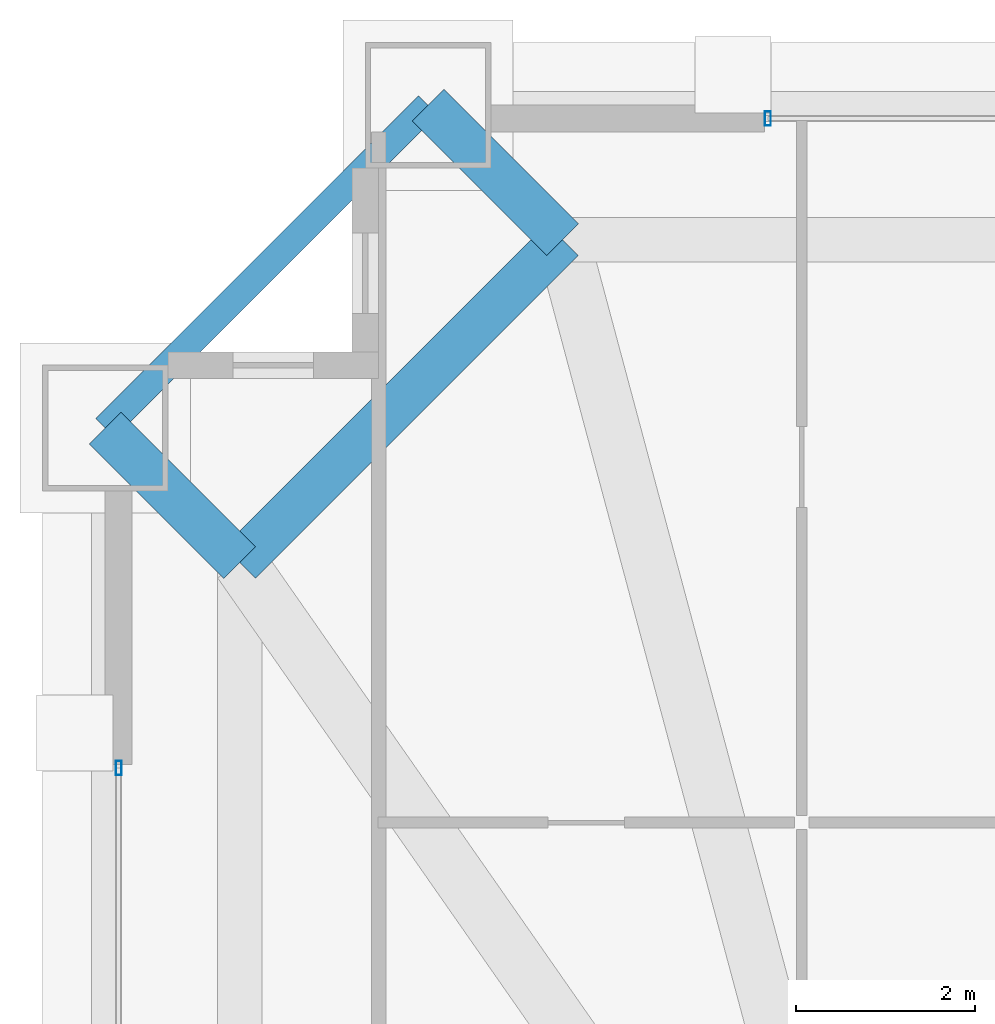
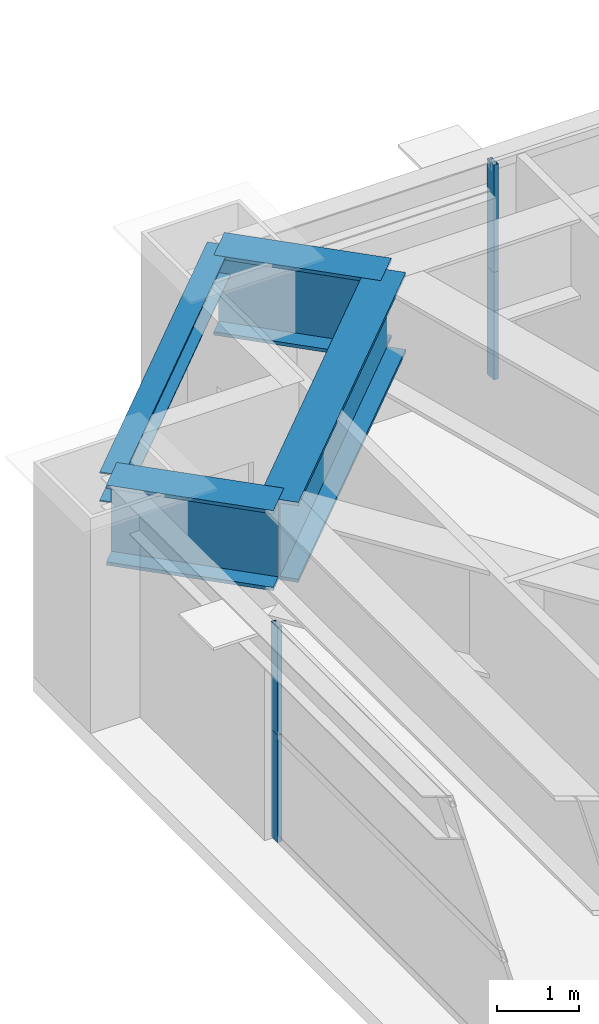
# One storey, part 24 of 39: 4 beams, 4 members, 2 elements without a shape of their own.
"""IFC4 building model written with IfcOpenShell, lengths in metres."""

from ifc_helpers import new_model, si_unit, direction, frame, origin, origin_2d, place, context, subcontext, project, spatial, hollow_rectangle, i_section, extrude, source, transform, mapped, material, layer, layer_set, material_profile, profile_set, type_object, element, aggregate, save


model = new_model("IFC4")

# Units and contexts
model_context = context("Model", 3, precision=1e-05, world=origin(), true_north=direction((0.0, 1.0)))
body_context = subcontext(model_context, "Body", "Model", "MODEL_VIEW")
ifc_project = project(units=[si_unit("LENGTHUNIT", "METRE"), si_unit("AREAUNIT", "SQUARE_METRE"), si_unit("VOLUMEUNIT", "CUBIC_METRE"), si_unit("PLANEANGLEUNIT", "RADIAN"), si_unit("MASSUNIT", "GRAM", prefix="KILO"), si_unit("THERMODYNAMICTEMPERATUREUNIT", "KELVIN"), si_unit("POWERUNIT", "WATT")], contexts=[model_context])

# Site, building, storey
site_placement = place(None, origin())
site = spatial("IfcSite", under=ifc_project, at=site_placement, CompositionType="ELEMENT")
building_placement = place(site_placement, origin())
building = spatial("IfcBuilding", under=site, at=building_placement, Name="Yuzanri Waterfront Tower", CompositionType="ELEMENT")
storey_placement = place(building_placement, frame((0.0, 0.0, 216.0)))
storey = spatial("IfcBuildingStorey", under=building, at=storey_placement, Name="L57", CompositionType="ELEMENT", Elevation=216.0)

# Beams
ifc_material_1 = material(Name="Steel Q420GJC", Category="steel")
ifc_material_profile_1 = material_profile(ifc_material_1, i_section(OverallWidth=0.5, OverallDepth=1.199951171875, WebThickness=0.028076171875, FlangeThickness=0.050048828125, at=origin_2d()), Name="PG 1200x500x28x50")
ifc_profile_set_1 = profile_set([ifc_material_profile_1], Name="Steel Q420GJC")
beam_type_1 = type_object("IfcBeamType", Name="Setback Transfer Girder Q420GJC PG 1200x500", PredefinedType="USERDEFINED", material=ifc_profile_set_1)
shared_shape_1 = source(origin(), body_context, "Body", "SweptSolid", [
    extrude(i_section(OverallWidth=0.5, OverallDepth=1.199951171875, WebThickness=0.028076171875, FlangeThickness=0.050048828125, at=origin_2d()), origin(), (0.0, 0.0, 1.0), 2.121337890625),
])
for number, where, z_axis, x_axis, name in (
    (1, (20.0, 46.39990234375, 2.6201171875), (-0.707106781187, 0.707106781187, 0.0), (-0.707106781187, -0.707106781187, 0.0), "L57 Setback Step Transfer N1"),
    (2, (16.39990234375, 42.800048828125, 2.6201171875), (-0.707106781187, 0.707106781187, 0.0), (-0.707106781187, -0.707106781187, 0.0), "L57 Setback Step Transfer W3"),
):
    element("IfcBeam", number, at=place(storey_placement, frame(where, z_axis=z_axis, x_axis=x_axis)), inside=storey, type_object=beam_type_1, Name=name, ObjectType="GIRDER", PredefinedType="USERDEFINED", context=body_context, shape_type="MappedRepresentation", body=[
        mapped(shared_shape_1, transform((0.0, 0.0, 0.0), scale=1.0)),
    ])
shared_shape_2 = source(origin(), body_context, "Body", "SweptSolid", [
    extrude(i_section(OverallWidth=0.5, OverallDepth=1.199951171875, WebThickness=0.028076171875, FlangeThickness=0.050048828125, at=origin_2d()), origin(), (0.0, 0.0, 1.0), 5.091064453125),
])
beam_1_placement = place(storey_placement, frame((20.0, 46.39990234375, 2.6201171875), z_axis=(-0.707130757816, -0.707082803744, 0.0), x_axis=(0.707082803744, -0.707130757816, 0.0)))
element("IfcBeam", 3, at=beam_1_placement, inside=storey, type_object=beam_type_1, Name="L57 Setback Upper Ring N1-W3", ObjectType="GIRDER", PredefinedType="USERDEFINED", context=body_context, shape_type="MappedRepresentation", body=[
    mapped(shared_shape_2, transform((0.0, 0.0, 0.0), scale=1.0)),
])
ifc_material_2 = material(Name="Steel Q355B", Category="steel")
ifc_material_profile_2 = material_profile(ifc_material_2, i_section(OverallWidth=0.300048828125, OverallDepth=0.43994140625, WebThickness=0.010986328125, FlangeThickness=0.01806640625, at=origin_2d()), Name="HM 440x300x11x18")
ifc_profile_set_2 = profile_set([ifc_material_profile_2], Name="Steel Q355B")
beam_type_2 = type_object("IfcBeamType", Name="Perimeter Spandrel Q355B HM 440x300", PredefinedType="SPANDREL", material=ifc_profile_set_2)
shared_shape_3 = source(origin(), body_context, "Body", "SweptSolid", [
    extrude(i_section(OverallWidth=0.300048828125, OverallDepth=0.43994140625, WebThickness=0.010986328125, FlangeThickness=0.01806640625, at=origin_2d()), origin(), (0.0, 0.0, 1.0), 5.091064453125),
])
beam_2_placement = place(storey_placement, frame((18.5, 47.89990234375, 3.0), z_axis=(-0.707130757816, -0.707082803744, 0.0), x_axis=(0.707082803744, -0.707130757816, 0.0)))
element("IfcBeam", 4, at=beam_2_placement, inside=storey, type_object=beam_type_2, Name="L57 Perimeter Spandrel N1-W3", PredefinedType="SPANDREL", context=body_context, shape_type="MappedRepresentation", body=[
    mapped(shared_shape_3, transform((0.0, 0.0, 0.0), scale=1.0)),
])

# Curtain wall, members
ifc_material_3 = material(Name="Anodized Architectural Bronze", Category="metal")
ifc_layer = layer(ifc_material_3, 0.159912109375)
ifc_layer_set = layer_set([ifc_layer], Name="Anodized Architectural Bronze")
curtain_wall_type = type_object("IfcCurtainWallType", Name="Anodized Bronze Mid-Rise Residential Acoustic Unitized Curtain Wall 7200", PredefinedType="NOTDEFINED", material=ifc_layer_set)
curtain_wall_1_placement = place(storey_placement, origin())
curtain_wall_1 = element("IfcCurtainWall", 5, at=curtain_wall_1_placement, inside=storey, type_object=curtain_wall_type, Name="L57 Curtain Wall CW-L57-NL", PredefinedType="NOTDEFINED")
ifc_material_4 = material(Name="Anodized Architectural Bronze", Category="metal")
ifc_material_profile_3 = material_profile(ifc_material_4, hollow_rectangle(XDim=0.06494140625, YDim=0.159912109375, WallThickness=0.00341796875, at=origin_2d()), Name="CWM 65x160")
ifc_profile_set_3 = profile_set([ifc_material_profile_3], Name="Anodized Architectural Bronze")
member_type = type_object("IfcMemberType", Name="Anodized Bronze Upper-Zone Curtain-Wall Mullion 65x160", PredefinedType="MULLION", material=ifc_profile_set_3)
shared_shape_4 = source(origin(), body_context, "Body", "SweptSolid", [
    extrude(hollow_rectangle(XDim=0.06494140625, YDim=0.159912109375, WallThickness=0.00341796875, at=origin_2d()), origin(), (0.0, 0.0, 1.0), 1.60791015625),
])
member_1_placement = place(storey_placement, frame((22.2900390625, 47.75, 0.0), z_axis=(0.0, 0.0, 1.0), x_axis=(1.0, 0.0, 0.0)))
member_1 = element("IfcMember", 6, at=member_1_placement, type_object=member_type, Name="CW-L57-NL Lower Mullion 00", PredefinedType="MULLION", context=body_context, shape_type="MappedRepresentation", body=[
    mapped(shared_shape_4, transform((0.0, 0.0, 0.0), scale=1.0)),
])
member_2_placement = place(storey_placement, frame((22.2900390625, 47.75, 1.612060546875), z_axis=(0.0, 0.0, 1.0), x_axis=(1.0, 0.0, 0.0)))
member_2 = element("IfcMember", 7, at=member_2_placement, type_object=member_type, Name="CW-L57-NL Upper Mullion 00", PredefinedType="MULLION", context=body_context, shape_type="MappedRepresentation", body=[
    mapped(shared_shape_4, transform((0.0, 0.0, 0.0), scale=1.0)),
])
aggregate(curtain_wall_1, [member_1, member_2])

curtain_wall_2_placement = place(storey_placement, origin())
curtain_wall_2 = element("IfcCurtainWall", 8, at=curtain_wall_2_placement, inside=storey, type_object=curtain_wall_type, Name="L57 Curtain Wall CW-L57-WR", PredefinedType="NOTDEFINED")
member_3_placement = place(storey_placement, frame((15.050048828125, 40.510009765625, 0.0), z_axis=(0.0, 0.0, 1.0), x_axis=(1.0, 0.0, 0.0)))
member_3 = element("IfcMember", 9, at=member_3_placement, type_object=member_type, Name="CW-L57-WR Lower Mullion 02", PredefinedType="MULLION", context=body_context, shape_type="MappedRepresentation", body=[
    mapped(shared_shape_4, transform((0.0, 0.0, 0.0), scale=1.0)),
])
member_4_placement = place(storey_placement, frame((15.050048828125, 40.510009765625, 1.612060546875), z_axis=(0.0, 0.0, 1.0), x_axis=(1.0, 0.0, 0.0)))
member_4 = element("IfcMember", 10, at=member_4_placement, type_object=member_type, Name="CW-L57-WR Upper Mullion 02", PredefinedType="MULLION", context=body_context, shape_type="MappedRepresentation", body=[
    mapped(shared_shape_4, transform((0.0, 0.0, 0.0), scale=1.0)),
])
aggregate(curtain_wall_2, [member_3, member_4])

save(model, "model.ifc")
